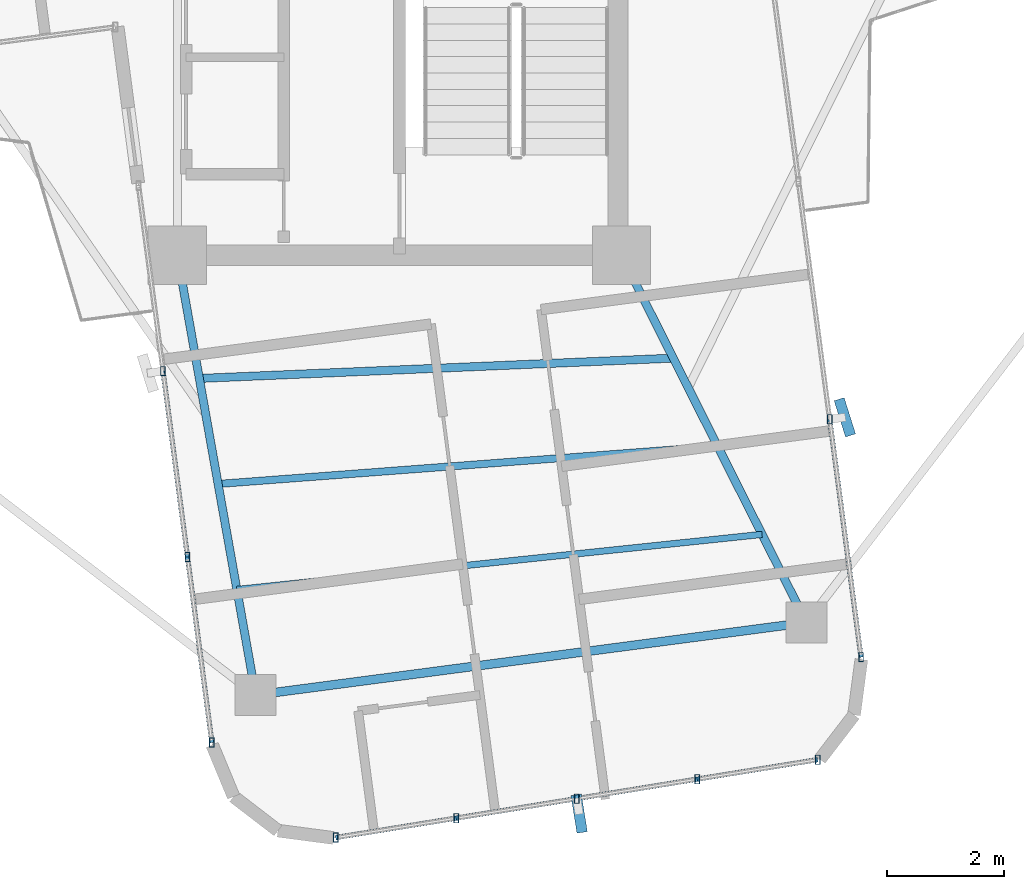
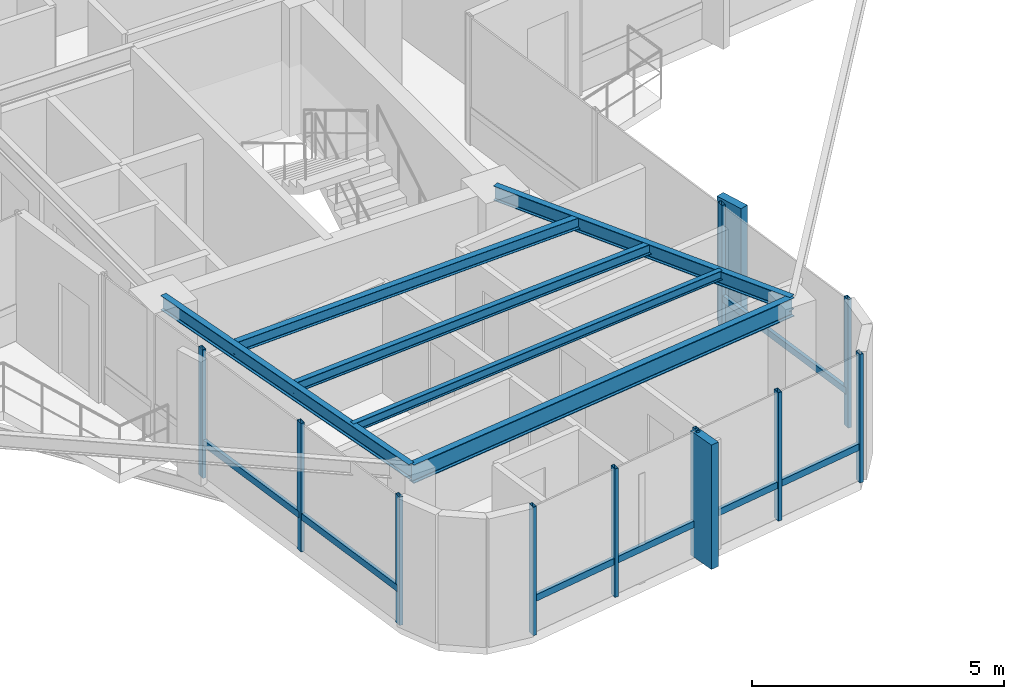
# One storey, part 4 of 23: 19 members, 6 beams, 3 elements without a shape of their own.
"""IFC4 building model written with IfcOpenShell, lengths in metres."""

from ifc_helpers import new_model, si_unit, direction, frame, origin, origin_2d, place, context, subcontext, project, spatial, rectangle, hollow_rectangle, i_section, extrude, source, transform, mapped, material, material_profile, profile_set, type_object, element, aggregate, save


model = new_model("IFC4")

# Units and contexts
model_context = context("Model", 3, precision=1e-05, world=origin(), true_north=direction((0.0, 1.0)))
body_context = subcontext(model_context, "Body", "Model", "MODEL_VIEW")
ifc_project = project(units=[si_unit("LENGTHUNIT", "METRE"), si_unit("AREAUNIT", "SQUARE_METRE"), si_unit("VOLUMEUNIT", "CUBIC_METRE"), si_unit("PLANEANGLEUNIT", "RADIAN"), si_unit("MASSUNIT", "GRAM", prefix="KILO")], contexts=[model_context])

# Site, building, storey
site_placement = place(None, origin())
site = spatial("IfcSite", under=ifc_project, at=site_placement, CompositionType="ELEMENT")
building_placement = place(site_placement, origin())
building = spatial("IfcBuilding", under=site, at=building_placement, Name="Sahyath Konkavel Grand Hotel", CompositionType="ELEMENT")
storey_placement = place(building_placement, frame((0.0, 0.0, 254.550048828125)))
storey = spatial("IfcBuildingStorey", under=building, at=storey_placement, Name="L71", CompositionType="ELEMENT", Elevation=254.550048828125)

# Beams
ifc_material_1 = material(Name="Steel E350", Category="steel")
ifc_material_profile_1 = material_profile(ifc_material_1, i_section(OverallWidth=0.139892578125, OverallDepth=0.35009765625, WebThickness=0.008056640625, FlangeThickness=0.01416015625, FilletRadius=0.013916015625, at=origin_2d()), Name="ISMB 350")
ifc_profile_set_1 = profile_set([ifc_material_profile_1], Name="Steel E350")
beam_type_1 = type_object("IfcBeamType", Name="BM-ISMB350", PredefinedType="BEAM", material=ifc_profile_set_1)
shared_shape_1 = source(origin(), body_context, "Body", "SweptSolid", [
    extrude(i_section(OverallWidth=0.139892578125, OverallDepth=0.35009765625, WebThickness=0.008056640625, FlangeThickness=0.01416015625, FilletRadius=0.013916015625, at=origin_2d()), origin(), (0.0, 0.0, 1.0), 7.64404296875),
])
beam_1_placement = place(storey_placement, frame((-3.800048828125, -10.199951171875, 2.93505859375), z_axis=(0.175120711014, -0.984546970222, 0.0), x_axis=(0.984546970222, 0.175120711014, 0.0)))
element("IfcBeam", 1, at=beam_1_placement, inside=storey, type_object=beam_type_1, Name="L71 Cruciform Radial Girder SA", PredefinedType="BEAM", context=body_context, shape_type="MappedRepresentation", body=[
    mapped(shared_shape_1, transform((0.0, 0.0, 0.0), scale=1.0)),
])
shared_shape_2 = source(origin(), body_context, "Body", "SweptSolid", [
    extrude(i_section(OverallWidth=0.139892578125, OverallDepth=0.35009765625, WebThickness=0.008056640625, FlangeThickness=0.01416015625, FilletRadius=0.013916015625, at=origin_2d()), origin(), (0.0, 0.0, 1.0), 7.036865234375),
])
beam_2_placement = place(storey_placement, frame((3.800048828125, -10.199951171875, 2.93505859375), z_axis=(0.449806819185, -0.89312587322, 0.0), x_axis=(0.89312587322, 0.449806819185, 0.0)))
element("IfcBeam", 2, at=beam_2_placement, inside=storey, type_object=beam_type_1, Name="L71 Cruciform Radial Girder SB", PredefinedType="BEAM", context=body_context, shape_type="MappedRepresentation", body=[
    mapped(shared_shape_2, transform((0.0, 0.0, 0.0), scale=1.0)),
])
ifc_material_profile_2 = material_profile(ifc_material_1, i_section(OverallWidth=0.14990234375, OverallDepth=0.449951171875, WebThickness=0.009521484375, FlangeThickness=0.017333984375, FilletRadius=0.014892578125, at=origin_2d()), Name="ISMB 450")
ifc_profile_set_2 = profile_set([ifc_material_profile_2], Name="Steel E350")
beam_type_2 = type_object("IfcBeamType", Name="BM-ISMB450", PredefinedType="BEAM", material=ifc_profile_set_2)
shared_shape_3 = source(origin(), body_context, "Body", "SweptSolid", [
    extrude(i_section(OverallWidth=0.14990234375, OverallDepth=0.449951171875, WebThickness=0.009521484375, FlangeThickness=0.017333984375, FilletRadius=0.014892578125, at=origin_2d()), origin(), (0.0, 0.0, 1.0), 9.508056640625),
])
beam_3_placement = place(storey_placement, frame((-2.46142578125, -17.725830078125, 2.885009765625), z_axis=(0.991446078287, 0.130516948512, 0.0), x_axis=(-0.130516948512, 0.991446078287, 0.0)))
element("IfcBeam", 3, at=beam_3_placement, inside=storey, type_object=beam_type_2, Name="L71 Wing Tip Edge Beam S", PredefinedType="BEAM", context=body_context, shape_type="MappedRepresentation", body=[
    mapped(shared_shape_3, transform((0.0, 0.0, 0.0), scale=1.0)),
])
ifc_material_profile_3 = material_profile(ifc_material_1, i_section(OverallWidth=0.139892578125, OverallDepth=0.27490234375, WebThickness=0.00634765625, FlangeThickness=0.0087890625, FilletRadius=0.012939453125, at=origin_2d()), Name="ISLB 275")
ifc_profile_set_3 = profile_set([ifc_material_profile_3], Name="Steel E350")
beam_type_3 = type_object("IfcBeamType", Name="BM-ISLB275", PredefinedType="BEAM", material=ifc_profile_set_3)
shared_shape_4 = source(origin(), body_context, "Body", "SweptSolid", [
    extrude(i_section(OverallWidth=0.139892578125, OverallDepth=0.27490234375, WebThickness=0.00634765625, FlangeThickness=0.0087890625, FilletRadius=0.012939453125, at=origin_2d()), origin(), (0.0, 0.0, 1.0), 8.119140625),
])
beam_4_placement = place(storey_placement, frame((-3.42529296875, -12.307373046875, 2.972412109375), z_axis=(0.999082803932, 0.042819982327, 0.0), x_axis=(-0.042819982327, 0.999082803932, 0.0)))
element("IfcBeam", 4, at=beam_4_placement, inside=storey, type_object=beam_type_3, Name="L71 Secondary Floor Beam S-1", PredefinedType="BEAM", context=body_context, shape_type="MappedRepresentation", body=[
    mapped(shared_shape_4, transform((0.0, 0.0, 0.0), scale=1.0)),
])
ifc_material_profile_4 = material_profile(ifc_material_1, i_section(OverallWidth=0.125, OverallDepth=0.25, WebThickness=0.0068359375, FlangeThickness=0.012451171875, FilletRadius=0.012939453125, at=origin_2d()), Name="ISMB 250")
ifc_profile_set_4 = profile_set([ifc_material_profile_4], Name="Steel E350")
beam_type_4 = type_object("IfcBeamType", Name="BM-ISMB250", PredefinedType="BEAM", material=ifc_profile_set_4)
shared_shape_5 = source(origin(), body_context, "Body", "SweptSolid", [
    extrude(i_section(OverallWidth=0.125, OverallDepth=0.25, WebThickness=0.0068359375, FlangeThickness=0.012451171875, FilletRadius=0.012939453125, at=origin_2d()), origin(), (0.0, 0.0, 1.0), 8.574462890625),
])
beam_5_placement = place(storey_placement, frame((-3.10400390625, -14.113525390625, 2.98486328125), z_axis=(0.997162184983, 0.075283310502, 0.0), x_axis=(-0.075283310502, 0.997162184983, 0.0)))
element("IfcBeam", 5, at=beam_5_placement, inside=storey, type_object=beam_type_4, Name="L71 Secondary Floor Beam S-2", PredefinedType="BEAM", context=body_context, shape_type="MappedRepresentation", body=[
    mapped(shared_shape_5, transform((0.0, 0.0, 0.0), scale=1.0)),
])
ifc_material_profile_5 = material_profile(ifc_material_1, i_section(OverallWidth=0.110107421875, OverallDepth=0.22509765625, WebThickness=0.006591796875, FlangeThickness=0.01171875, FilletRadius=0.011962890625, at=origin_2d()), Name="ISMB 225")
ifc_profile_set_5 = profile_set([ifc_material_profile_5], Name="Steel E350")
beam_type_5 = type_object("IfcBeamType", Name="BM-ISMB225", PredefinedType="BEAM", material=ifc_profile_set_5)
shared_shape_6 = source(origin(), body_context, "Body", "SweptSolid", [
    extrude(i_section(OverallWidth=0.110107421875, OverallDepth=0.22509765625, WebThickness=0.006591796875, FlangeThickness=0.01171875, FilletRadius=0.011962890625, at=origin_2d()), origin(), (0.0, 0.0, 1.0), 9.03759765625),
])
beam_6_placement = place(storey_placement, frame((-2.78271484375, -15.919677734375, 2.99755859375), z_axis=(0.994540182916, 0.104354322213, 0.0), x_axis=(-0.104354322213, 0.994540182916, 0.0)))
element("IfcBeam", 6, at=beam_6_placement, inside=storey, type_object=beam_type_5, Name="L71 Secondary Floor Beam S-3", PredefinedType="BEAM", context=body_context, shape_type="MappedRepresentation", body=[
    mapped(shared_shape_6, transform((0.0, 0.0, 0.0), scale=1.0)),
])

# Curtain wall, members
ifc_material_2 = material(Name="Anodised Bronze Aluminium & Low-E Glazing", Category="aluminium")
curtain_wall_type = type_object("IfcCurtainWallType", Name="CW-ZONE4", PredefinedType="NOTDEFINED", material=ifc_material_2)
curtain_wall_1_placement = place(storey_placement, origin())
curtain_wall_1 = element("IfcCurtainWall", 7, at=curtain_wall_1_placement, inside=storey, type_object=curtain_wall_type, Name="L71 Unitised Curtain Wall F24", PredefinedType="NOTDEFINED")
ifc_material_3 = material(Name="Anodised Bronze Aluminium", Category="aluminium")
ifc_material_profile_6 = material_profile(ifc_material_3, hollow_rectangle(XDim=0.080078125, YDim=0.159912109375, WallThickness=0.006103515625, at=origin_2d()), Name="RHS 160x80x6")
ifc_profile_set_6 = profile_set([ifc_material_profile_6], Name="Anodised Bronze Aluminium")
member_type_1 = type_object("IfcMemberType", Name="CW-MUL-160", PredefinedType="MULLION", material=ifc_profile_set_6)
shared_shape_7 = source(origin(), body_context, "Body", "SweptSolid", [
    extrude(hollow_rectangle(XDim=0.080078125, YDim=0.159912109375, WallThickness=0.006103515625, at=origin_2d()), origin(), (0.0, 0.0, 1.0), 3.10986328125),
])
member_1_placement = place(storey_placement, frame((-4.048583984375, -12.18310546875, 0.0), z_axis=(0.0, 0.0, 1.0), x_axis=(1.0, 0.0, 0.0)))
member_1 = element("IfcMember", 8, at=member_1_placement, type_object=member_type_1, Name="L71 Curtain Wall Mullion F24-1", PredefinedType="MULLION", context=body_context, shape_type="MappedRepresentation", body=[
    mapped(shared_shape_7, transform((0.0, 0.0, 0.0), scale=1.0)),
])
member_2_placement = place(storey_placement, frame((-3.6298828125, -15.36181640625, 0.0), z_axis=(0.0, 0.0, 1.0), x_axis=(1.0, 0.0, 0.0)))
member_2 = element("IfcMember", 9, at=member_2_placement, type_object=member_type_1, Name="L71 Curtain Wall Mullion F24-2", PredefinedType="MULLION", context=body_context, shape_type="MappedRepresentation", body=[
    mapped(shared_shape_7, transform((0.0, 0.0, 0.0), scale=1.0)),
])
member_3_placement = place(storey_placement, frame((-3.21142578125, -18.540771484375, 0.0), z_axis=(0.0, 0.0, 1.0), x_axis=(1.0, 0.0, 0.0)))
member_3 = element("IfcMember", 10, at=member_3_placement, type_object=member_type_1, Name="L71 Curtain Wall Mullion F24-3", PredefinedType="MULLION", context=body_context, shape_type="MappedRepresentation", body=[
    mapped(shared_shape_7, transform((0.0, 0.0, 0.0), scale=1.0)),
])

curtain_wall_2_placement = place(storey_placement, origin())
curtain_wall_2 = element("IfcCurtainWall", 11, at=curtain_wall_2_placement, inside=storey, type_object=curtain_wall_type, Name="L71 Unitised Curtain Wall F28", PredefinedType="NOTDEFINED")
member_4_placement = place(storey_placement, frame((-1.091064453125, -20.166748046875, 0.0), z_axis=(0.0, 0.0, 1.0), x_axis=(1.0, 0.0, 0.0)))
member_4 = element("IfcMember", 12, at=member_4_placement, type_object=member_type_1, Name="L71 Curtain Wall Mullion F28-0", PredefinedType="MULLION", context=body_context, shape_type="MappedRepresentation", body=[
    mapped(shared_shape_7, transform((0.0, 0.0, 0.0), scale=1.0)),
])
member_5_placement = place(storey_placement, frame((0.971435546875, -19.83349609375, 0.0), z_axis=(0.0, 0.0, 1.0), x_axis=(1.0, 0.0, 0.0)))
member_5 = element("IfcMember", 13, at=member_5_placement, type_object=member_type_1, Name="L71 Curtain Wall Mullion F28-1", PredefinedType="MULLION", context=body_context, shape_type="MappedRepresentation", body=[
    mapped(shared_shape_7, transform((0.0, 0.0, 0.0), scale=1.0)),
])
member_6_placement = place(storey_placement, frame((3.03369140625, -19.5, 0.0), z_axis=(0.0, 0.0, 1.0), x_axis=(1.0, 0.0, 0.0)))
member_6 = element("IfcMember", 14, at=member_6_placement, type_object=member_type_1, Name="L71 Curtain Wall Mullion F28-2", PredefinedType="MULLION", context=body_context, shape_type="MappedRepresentation", body=[
    mapped(shared_shape_7, transform((0.0, 0.0, 0.0), scale=1.0)),
])
member_7_placement = place(storey_placement, frame((5.09619140625, -19.16650390625, 0.0), z_axis=(0.0, 0.0, 1.0), x_axis=(1.0, 0.0, 0.0)))
member_7 = element("IfcMember", 15, at=member_7_placement, type_object=member_type_1, Name="L71 Curtain Wall Mullion F28-3", PredefinedType="MULLION", context=body_context, shape_type="MappedRepresentation", body=[
    mapped(shared_shape_7, transform((0.0, 0.0, 0.0), scale=1.0)),
])
member_8_placement = place(storey_placement, frame((7.158447265625, -18.8330078125, 0.0), z_axis=(0.0, 0.0, 1.0), x_axis=(1.0, 0.0, 0.0)))
member_8 = element("IfcMember", 16, at=member_8_placement, type_object=member_type_1, Name="L71 Curtain Wall Mullion F28-4", PredefinedType="MULLION", context=body_context, shape_type="MappedRepresentation", body=[
    mapped(shared_shape_7, transform((0.0, 0.0, 0.0), scale=1.0)),
])

curtain_wall_3_placement = place(storey_placement, origin())
curtain_wall_3 = element("IfcCurtainWall", 17, at=curtain_wall_3_placement, inside=storey, type_object=curtain_wall_type, Name="L71 Unitised Curtain Wall F31", PredefinedType="NOTDEFINED")
member_9_placement = place(storey_placement, frame((7.900634765625, -17.077880859375, 0.0), z_axis=(0.0, 0.0, 1.0), x_axis=(1.0, 0.0, 0.0)))
member_9 = element("IfcMember", 18, at=member_9_placement, type_object=member_type_1, Name="L71 Curtain Wall Mullion F31-0", PredefinedType="MULLION", context=body_context, shape_type="MappedRepresentation", body=[
    mapped(shared_shape_7, transform((0.0, 0.0, 0.0), scale=1.0)),
])
member_10_placement = place(storey_placement, frame((7.36474609375, -13.006591796875, 0.0), z_axis=(0.0, 0.0, 1.0), x_axis=(1.0, 0.0, 0.0)))
member_10 = element("IfcMember", 19, at=member_10_placement, type_object=member_type_1, Name="L71 Curtain Wall Mullion F31-1", PredefinedType="MULLION", context=body_context, shape_type="MappedRepresentation", body=[
    mapped(shared_shape_7, transform((0.0, 0.0, 0.0), scale=1.0)),
])

# Member
ifc_material_4 = material(Name="Warm Buff Sandstone Cladding on Concrete C50/60", Category="masonry")
ifc_material_profile_7 = material_profile(ifc_material_4, rectangle(XDim=0.179931640625, YDim=0.64990234375, at=origin_2d()), Name="FIN 180x650")
ifc_profile_set_7 = profile_set([ifc_material_profile_7], Name="Warm Buff Sandstone Cladding on Concrete C50/60")
member_type_2 = type_object("IfcMemberType", Name="FIN-SANDSTONE-650", PredefinedType="MULLION", material=ifc_profile_set_7)
shared_shape_8 = source(origin(), body_context, "Body", "SweptSolid", [
    extrude(rectangle(XDim=0.179931640625, YDim=0.64990234375, at=origin_2d()), origin(), (0.0, 0.0, 1.0), 3.010009765625),
])
member_11_placement = place(storey_placement, frame((3.0751953125, -19.756591796875, 0.050048828125), z_axis=(0.0, 0.0, 1.0), x_axis=(0.98724764263, 0.159191997666, 0.0)))
member_11 = element("IfcMember", 20, at=member_11_placement, type_object=member_type_2, Name="L71 Sandstone Vertical Solar Fin FIN F28-2", PredefinedType="MULLION", context=body_context, shape_type="MappedRepresentation", body=[
    mapped(shared_shape_8, transform((0.0, 0.0, 0.0), scale=1.0)),
])

member_12_placement = place(storey_placement, frame((7.62255859375, -12.97265625, 0.050048828125), z_axis=(0.0, 0.0, 1.0), x_axis=(0.954083620326, 0.299540390309, 0.0)))
member_12 = element("IfcMember", 21, at=member_12_placement, type_object=member_type_2, Name="L71 Sandstone Vertical Solar Fin FIN F31-1", PredefinedType="MULLION", context=body_context, shape_type="MappedRepresentation", body=[
    mapped(shared_shape_8, transform((0.0, 0.0, 0.0), scale=1.0)),
])

ifc_material_profile_8 = material_profile(ifc_material_3, hollow_rectangle(XDim=0.080078125, YDim=0.159912109375, WallThickness=0.006103515625, at=origin_2d()), Name="RHS 160x80x6")
ifc_profile_set_8 = profile_set([ifc_material_profile_8], Name="Anodised Bronze Aluminium")
member_type_3 = type_object("IfcMemberType", Name="CW-TRN-160", PredefinedType="USERDEFINED", material=ifc_profile_set_8)
shared_shape_9 = source(origin(), body_context, "Body", "SweptSolid", [
    extrude(hollow_rectangle(XDim=0.080078125, YDim=0.159912109375, WallThickness=0.006103515625, at=origin_2d()), origin(), (0.0, 0.0, 1.0), 3.206298828125),
])
member_13_placement = place(storey_placement, frame((-3.6298828125, -15.36181640625, 0.849853515625), z_axis=(0.130507692693, -0.991447296707, 0.0), x_axis=(0.991447296707, 0.130507692693, 0.0)))
member_13 = element("IfcMember", 22, at=member_13_placement, type_object=member_type_3, Name="L71 Curtain Wall Transom F24-2-spandrel", ObjectType="TRANSOM", PredefinedType="USERDEFINED", context=body_context, shape_type="MappedRepresentation", body=[
    mapped(shared_shape_9, transform((0.0, 0.0, 0.0), scale=1.0)),
])

shared_shape_10 = source(origin(), body_context, "Body", "SweptSolid", [
    extrude(hollow_rectangle(XDim=0.080078125, YDim=0.159912109375, WallThickness=0.006103515625, at=origin_2d()), origin(), (0.0, 0.0, 1.0), 3.2060546875),
])
member_14_placement = place(storey_placement, frame((-4.048583984375, -12.18310546875, 0.849853515625), z_axis=(0.130592395224, -0.991436143334, 0.0), x_axis=(0.991436143334, 0.130592395224, 0.0)))
member_14 = element("IfcMember", 23, at=member_14_placement, type_object=member_type_3, Name="L71 Curtain Wall Transom F24-1-spandrel", ObjectType="TRANSOM", PredefinedType="USERDEFINED", context=body_context, shape_type="MappedRepresentation", body=[
    mapped(shared_shape_10, transform((0.0, 0.0, 0.0), scale=1.0)),
])

aggregate(curtain_wall_1, [member_1, member_2, member_3, member_14, member_13])

shared_shape_11 = source(origin(), body_context, "Body", "SweptSolid", [
    extrude(hollow_rectangle(XDim=0.080078125, YDim=0.159912109375, WallThickness=0.006103515625, at=origin_2d()), origin(), (0.0, 0.0, 1.0), 2.08935546875),
])
member_15_placement = place(storey_placement, frame((-1.091064453125, -20.166748046875, 0.849853515625), z_axis=(0.987196639182, 0.159507979697, 0.0), x_axis=(-0.159507979697, 0.987196639182, 0.0)))
member_15 = element("IfcMember", 24, at=member_15_placement, type_object=member_type_3, Name="L71 Curtain Wall Transom F28-0-spandrel", ObjectType="TRANSOM", PredefinedType="USERDEFINED", context=body_context, shape_type="MappedRepresentation", body=[
    mapped(shared_shape_11, transform((0.0, 0.0, 0.0), scale=1.0)),
])

member_16_placement = place(storey_placement, frame((3.03369140625, -19.5, 0.849853515625), z_axis=(0.987178232193, 0.159621859041, 0.0), x_axis=(-0.159621859041, 0.987178232193, 0.0)))
member_16 = element("IfcMember", 25, at=member_16_placement, type_object=member_type_3, Name="L71 Curtain Wall Transom F28-2-spandrel", ObjectType="TRANSOM", PredefinedType="USERDEFINED", context=body_context, shape_type="MappedRepresentation", body=[
    mapped(shared_shape_11, transform((0.0, 0.0, 0.0), scale=1.0)),
])

shared_shape_12 = source(origin(), body_context, "Body", "SweptSolid", [
    extrude(hollow_rectangle(XDim=0.080078125, YDim=0.159912109375, WallThickness=0.006103515625, at=origin_2d()), origin(), (0.0, 0.0, 1.0), 2.089111328125),
])
member_17_placement = place(storey_placement, frame((0.971435546875, -19.83349609375, 0.849853515625), z_axis=(0.987175254352, 0.159640274351, 0.0), x_axis=(-0.159640274351, 0.987175254352, 0.0)))
member_17 = element("IfcMember", 26, at=member_17_placement, type_object=member_type_3, Name="L71 Curtain Wall Transom F28-1-spandrel", ObjectType="TRANSOM", PredefinedType="USERDEFINED", context=body_context, shape_type="MappedRepresentation", body=[
    mapped(shared_shape_12, transform((0.0, 0.0, 0.0), scale=1.0)),
])

member_18_placement = place(storey_placement, frame((5.09619140625, -19.16650390625, 0.849853515625), z_axis=(0.987175254352, 0.159640274351, 0.0), x_axis=(-0.159640274351, 0.987175254352, 0.0)))
member_18 = element("IfcMember", 27, at=member_18_placement, type_object=member_type_3, Name="L71 Curtain Wall Transom F28-3-spandrel", ObjectType="TRANSOM", PredefinedType="USERDEFINED", context=body_context, shape_type="MappedRepresentation", body=[
    mapped(shared_shape_12, transform((0.0, 0.0, 0.0), scale=1.0)),
])

aggregate(curtain_wall_2, [member_4, member_5, member_6, member_11, member_7, member_8, member_15, member_17, member_16, member_18])

shared_shape_13 = source(origin(), body_context, "Body", "SweptSolid", [
    extrude(hollow_rectangle(XDim=0.080078125, YDim=0.159912109375, WallThickness=0.006103515625, at=origin_2d()), origin(), (0.0, 0.0, 1.0), 4.1064453125),
])
member_19_placement = place(storey_placement, frame((7.900634765625, -17.077880859375, 0.849853515625), z_axis=(-0.13050065069, 0.991448223645, 0.0), x_axis=(-0.991448223645, -0.13050065069, 0.0)))
member_19 = element("IfcMember", 28, at=member_19_placement, type_object=member_type_3, Name="L71 Curtain Wall Transom F31-0-spandrel", ObjectType="TRANSOM", PredefinedType="USERDEFINED", context=body_context, shape_type="MappedRepresentation", body=[
    mapped(shared_shape_13, transform((0.0, 0.0, 0.0), scale=1.0)),
])

aggregate(curtain_wall_3, [member_9, member_10, member_12, member_19])

save(model, "model.ifc")
